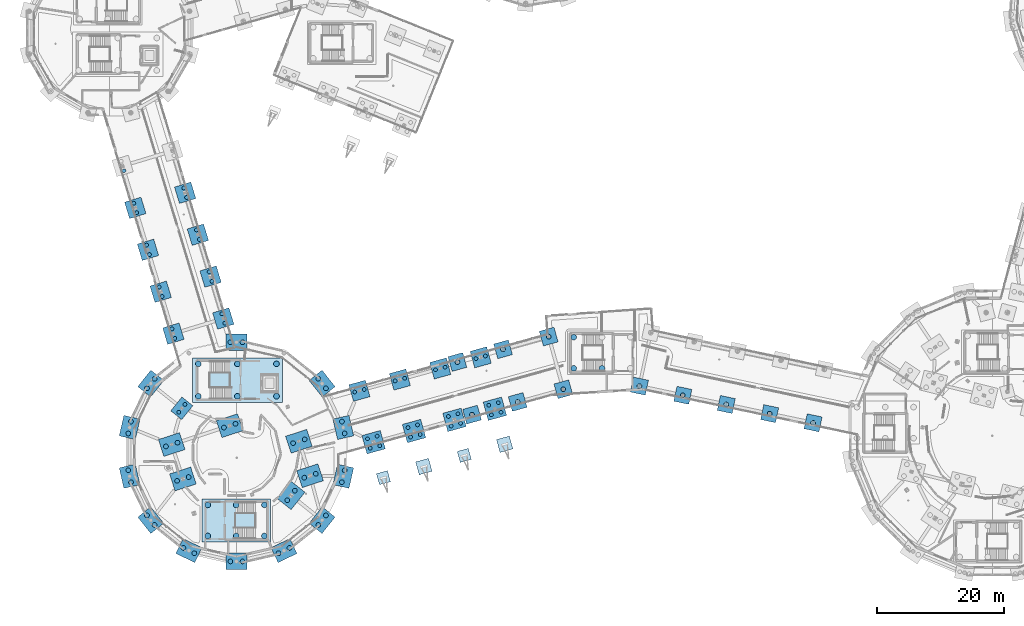
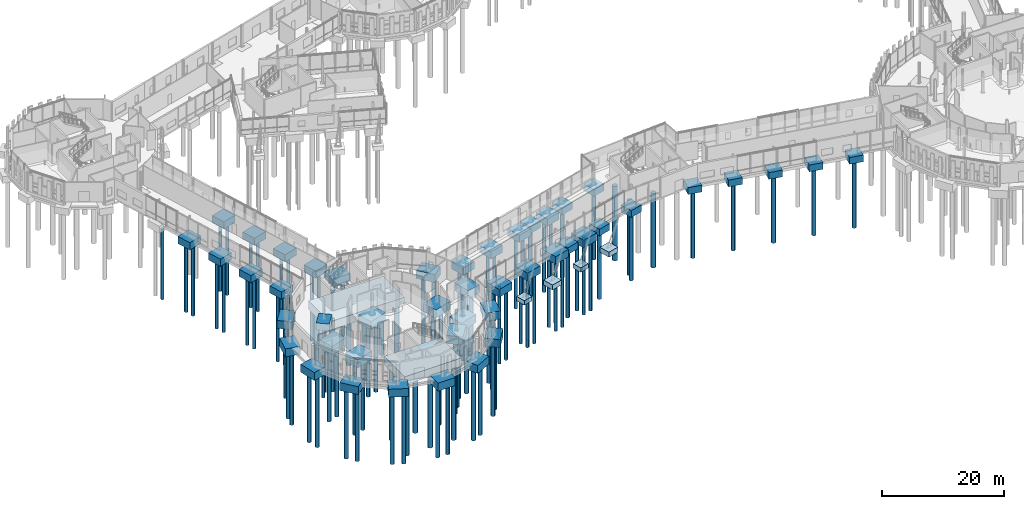
# One storey, part 1 of 113: 105 piles, 52 footings.
"""IFC4 building model written with IfcOpenShell, lengths in metres."""

import ifcopenshell
import ifcopenshell.guid

model = None  # the IFC model being written
_history = None  # IfcOwnerHistory: only IFC2X3 demands one
_inside = {}  # id of a spatial element -> (the spatial element, [elements in it])
_under = {}  # id of a project, library or spatial element -> (it, [spatial elements below it])
_declared = {}  # id of a project -> (the project, [libraries it declares])
_typed = {}  # id of a type object -> (the type object, [elements of that type])
_made_of = {}  # id of a material, layer set ... -> (it, [elements and type objects made of it])


def new_model(schema):
    """Start an empty IFC model of exactly this schema.

    Asked for "IFC4X3", IfcOpenShell would pick the latest addendum, in which some entities
    have other attributes; the version numbers below select the first issue.
    IFC2X3 requires an IfcOwnerHistory on every rooted entity: one is made here for all.
    """
    global model, _history
    if schema == "IFC4X3":
        model = ifcopenshell.file(schema_version=(4, 3, 0, 0))
    else:
        model = ifcopenshell.file(schema=schema)
    _inside.clear()
    _under.clear()
    _declared.clear()
    _typed.clear()
    _made_of.clear()
    _history = None
    if model.schema == "IFC2X3":
        org = make("IfcOrganization", Name="unknown")
        user = make(
            "IfcPersonAndOrganization",
            ThePerson=make("IfcPerson", FamilyName="unknown"),
            TheOrganization=org,
        )
        app = make(
            "IfcApplication",
            ApplicationDeveloper=org,
            Version="unknown",
            ApplicationFullName="unknown",
            ApplicationIdentifier="unknown",
        )
        _history = make(
            "IfcOwnerHistory",
            OwningUser=user,
            OwningApplication=app,
            ChangeAction="ADDED",
            CreationDate=0,
        )
    return model


def make(cls, **values):
    """One entity of the class cls with the attributes given. An attribute that is None is left unset."""
    return model.create_entity(
        cls, **{name: value for name, value in values.items() if value is not None}
    )


def rooted(cls, **values):
    """An entity with a GlobalId (a new one), such as an element, a storey or a relation."""
    return make(cls, GlobalId=ifcopenshell.guid.new(), OwnerHistory=_history, **values)


def si_unit(unit_type, name, prefix=None):
    """IfcSIUnit, for example si_unit("LENGTHUNIT", "METRE", prefix="MILLI")."""
    return make("IfcSIUnit", UnitType=unit_type, Prefix=prefix, Name=name)


def assignment(units):
    """IfcUnitAssignment: the units of a project."""
    return None if units is None else make("IfcUnitAssignment", Units=units)


def point(xyz):
    """IfcCartesianPoint."""
    return None if xyz is None else make("IfcCartesianPoint", Coordinates=xyz)


def direction(xyz):
    """IfcDirection."""
    return None if xyz is None else make("IfcDirection", DirectionRatios=xyz)


def frame(location, z_axis=None, x_axis=None):
    """IfcAxis2Placement3D, a coordinate frame: its origin and axes. An axis left out is left unset."""
    return make(
        "IfcAxis2Placement3D",
        Location=point(location),
        Axis=direction(z_axis),
        RefDirection=direction(x_axis),
    )


def frame_2d(location, x_axis=None):
    """IfcAxis2Placement2D, a coordinate frame in the plane: its origin and x axis."""
    return make(
        "IfcAxis2Placement2D", Location=point(location), RefDirection=direction(x_axis)
    )


def origin():
    """The frame at (0, 0, 0) with its axes left unset."""
    return frame((0.0, 0.0, 0.0))


def origin_2d():
    """The frame at (0, 0) in the plane with its x axis left unset."""
    return frame_2d((0.0, 0.0))


def place(relative_to, where):
    """IfcLocalPlacement: puts the frame where relative to a parent placement (None: the world)."""
    return make(
        "IfcLocalPlacement", PlacementRelTo=relative_to, RelativePlacement=where
    )


def context(
    kind, dimensions, precision=None, world=None, true_north=None, identifier=None
):
    """IfcGeometricRepresentationContext, for example the 3D "Model" context."""
    return make(
        "IfcGeometricRepresentationContext",
        ContextIdentifier=identifier,
        ContextType=kind,
        CoordinateSpaceDimension=dimensions,
        Precision=precision,
        WorldCoordinateSystem=world,
        TrueNorth=true_north,
    )


def subcontext(parent, identifier, kind, view, scale=None):
    """IfcGeometricRepresentationSubContext, for example "Body" below "Model"."""
    return make(
        "IfcGeometricRepresentationSubContext",
        ContextIdentifier=identifier,
        ContextType=kind,
        ParentContext=parent,
        TargetScale=scale,
        TargetView=view,
    )


def project(units=None, contexts=None):
    """IfcProject with its units and contexts."""
    return rooted(
        "IfcProject",
        Name="project",
        RepresentationContexts=contexts,
        UnitsInContext=assignment(units),
    )


def spatial(cls, under=None, at=None, **own):
    """A site, building, storey or space (cls), placed at a placement, below another one or the project."""
    s = rooted(cls, ObjectPlacement=at, **own)
    if under is not None:
        _under.setdefault(under.id(), (under, []))[1].append(s)
    return s


def profile(cls, at=None, kind="AREA", **sizes):
    """A parametric profile (cls). Its sizes go by their IFC names, for example OverallWidth=200.0."""
    return make(cls, ProfileType=kind, Position=at, **sizes)


def rectangle(**sizes):
    """IfcRectangleProfileDef."""
    return profile("IfcRectangleProfileDef", **sizes)


def circle(**sizes):
    """IfcCircleProfileDef."""
    return profile("IfcCircleProfileDef", **sizes)


def extrude(swept, where, along, depth):
    """IfcExtrudedAreaSolid: the profile swept, set in the frame where, extruded along a direction by depth."""
    return make(
        "IfcExtrudedAreaSolid",
        SweptArea=swept,
        Position=where,
        ExtrudedDirection=direction(along),
        Depth=depth,
    )


def shape(context_of_items, identifier, shape_type, items):
    """IfcShapeRepresentation: the items that make up one representation, for example the "Body"."""
    return make(
        "IfcShapeRepresentation",
        ContextOfItems=context_of_items,
        RepresentationIdentifier=identifier,
        RepresentationType=shape_type,
        Items=items,
    )


def material(Name=None, Category=None):
    """IfcMaterial."""
    return make("IfcMaterial", Name=Name, Category=Category)


def material_profile(
    of_material, cross_section, Name=None, Category=None, Priority=None
):
    """IfcMaterialProfile: a cross section and its material."""
    return make(
        "IfcMaterialProfile",
        Name=Name,
        Material=of_material,
        Profile=cross_section,
        Priority=Priority,
        Category=Category,
    )


def profile_set(profiles, Name=None, composite=None):
    """IfcMaterialProfileSet."""
    return make(
        "IfcMaterialProfileSet",
        Name=Name,
        MaterialProfiles=profiles,
        CompositeProfile=composite,
    )


def made_of(thing, what):
    """Note that an element or type object is made of a material, layer set ...; save() writes the relation."""
    if what is not None:
        _made_of.setdefault(what.id(), (what, []))[1].append(thing)
    return thing


def type_object(cls, material=None, **own):
    """A type object (cls), such as IfcWallType, which elements share."""
    return made_of(rooted(cls, **own), material)


def element(
    cls,
    number,
    at=None,
    inside=None,
    cuts=None,
    type_object=None,
    material=None,
    context=None,
    identifier="Body",
    shape_type=None,
    held_by="IfcProductDefinitionShape",
    body=None,
    shapes=None,
    **own,
):
    """One element of the class cls, such as IfcWall. Its Tag is "e" and its number.

    at: its placement. inside: the storey or other place that contains it. cuts: it is an
    opening in that element (IfcRelVoidsElement). A single representation is given by context,
    identifier, shape_type and body (its items); several are given by shapes. held_by: the class
    of the entity that holds the representations. save() writes the other relations.
    """
    e = rooted(cls, Tag="e%d" % number, ObjectPlacement=at, **own)
    if body is not None:
        shapes = [shape(context, identifier, shape_type, body)]
    if shapes is not None:
        e.Representation = make(held_by, Representations=shapes)
    if inside is not None:
        _inside.setdefault(inside.id(), (inside, []))[1].append(e)
    if cuts is not None:
        rooted(
            "IfcRelVoidsElement", RelatingBuildingElement=cuts, RelatedOpeningElement=e
        )
    if type_object is not None:
        _typed.setdefault(type_object.id(), (type_object, []))[1].append(e)
    return made_of(e, material)


def aggregate(whole, parts):
    """IfcRelAggregates: a whole, such as a stair, and the parts it consists of."""
    return rooted("IfcRelAggregates", RelatingObject=whole, RelatedObjects=parts)


def save(model, path):
    """Write the relations noted so far, then the file.

    IfcRelAggregates (storeys below a building ...), IfcRelContainedInSpatialStructure (elements
    in a storey), IfcRelDefinesByType, IfcRelAssociatesMaterial and IfcRelDeclares: one each for
    every whole, place, type object, material and project.
    """
    for whole, parts in _under.values():
        aggregate(whole, parts)
    for where, things in _inside.values():
        rooted(
            "IfcRelContainedInSpatialStructure",
            RelatedElements=things,
            RelatingStructure=where,
        )
    for kind, things in _typed.values():
        rooted("IfcRelDefinesByType", RelatedObjects=things, RelatingType=kind)
    for what, things in _made_of.values():
        rooted("IfcRelAssociatesMaterial", RelatedObjects=things, RelatingMaterial=what)
    for by, libraries in _declared.values():
        rooted("IfcRelDeclares", RelatingContext=by, RelatedDefinitions=libraries)
    model.write(path)


model = new_model("IFC4")

# Units and contexts
model_context = context("Model", 3, precision=1e-05, world=origin(), true_north=direction((0.0, 1.0)))
body_context = subcontext(model_context, "Body", "Model", "MODEL_VIEW")
ifc_project = project(units=[si_unit("LENGTHUNIT", "METRE"), si_unit("AREAUNIT", "SQUARE_METRE"), si_unit("VOLUMEUNIT", "CUBIC_METRE"), si_unit("PLANEANGLEUNIT", "RADIAN"), si_unit("MASSUNIT", "GRAM", prefix="KILO")], contexts=[model_context])

# Site, building, storey
site_placement = place(None, origin())
site = spatial("IfcSite", under=ifc_project, at=site_placement, CompositionType="ELEMENT")
building_placement = place(site_placement, origin())
building = spatial("IfcBuilding", under=site, at=building_placement, Name="Wrenclough Park School", CompositionType="ELEMENT")
storey_placement = place(building_placement, origin())
storey = spatial("IfcBuildingStorey", under=building, at=storey_placement, Name="L00", CompositionType="ELEMENT", Elevation=0.0)

# Footings
ifc_material_1 = material(Name="Concrete C35/45", Category="concrete")
footing_type_1 = type_object("IfcFootingType", Name="STR-PC-02", PredefinedType="PILE_CAP", material=ifc_material_1)
for number, where, z_axis, x_axis, name in (
    (1, (71.284912109375, 37.642578125, -1.35009765625), (0.0, 0.0, 1.0), (0.963396876837, 0.268079200424, 0.0), "Column pile cap FTG-DRM-145"),
    (2, (73.590087890625, 29.357421875, -1.35009765625), (0.0, 0.0, 1.0), (0.963396876837, 0.268079200424, 0.0), "Column pile cap FTG-DRM-146"),
    (3, (78.472412109375, 39.642578125, -1.35009765625), (0.0, 0.0, 1.0), (0.963396876837, 0.268079200424, 0.0), "Column pile cap FTG-DRM-147"),
    (4, (80.777587890625, 31.357421875, -1.35009765625), (0.0, 0.0, 1.0), (0.963396876837, 0.268079200424, 0.0), "Column pile cap FTG-DRM-148"),
    (5, (85.659912109375, 41.642578125, -1.35009765625), (0.0, 0.0, 1.0), (0.963396876837, 0.268079200424, 0.0), "Column pile cap FTG-DRM-149"),
    (6, (87.965087890625, 33.357421875, -1.35009765625), (0.0, 0.0, 1.0), (0.963396876837, 0.268079200424, 0.0), "Column pile cap FTG-DRM-150"),
    (7, (99.944091796875, 33.848388671875, -1.35009765625), (0.0, 0.0, 1.0), (0.978364788978, -0.206887263232, 0.0), "Column pile cap FTG-DRM-152"),
    (8, (106.77734375, 32.404052734375, -1.35009765625), (0.0, 0.0, 1.0), (0.978364788978, -0.206887263232, 0.0), "Column pile cap FTG-DRM-154"),
    (9, (113.610595703125, 30.959716796875, -1.35009765625), (0.0, 0.0, 1.0), (0.978364788978, -0.206887263232, 0.0), "Column pile cap FTG-DRM-156"),
    (10, (120.444091796875, 29.51513671875, -1.35009765625), (0.0, 0.0, 1.0), (0.978364788978, -0.206887263232, 0.0), "Column pile cap FTG-DRM-158"),
    (11, (127.27734375, 28.07080078125, -1.35009765625), (0.0, 0.0, 1.0), (0.978364788978, -0.206887263232, 0.0), "Column pile cap FTG-DRM-160"),
):
    element("IfcFooting", number, at=place(storey_placement, frame(where, z_axis=z_axis, x_axis=x_axis)), inside=storey, type_object=footing_type_1, Name=name, PredefinedType="PILE_CAP", context=body_context, shape_type="SweptSolid", body=[
        extrude(rectangle(XDim=2.39990234375, YDim=2.39990234375, at=origin_2d()), origin(), (0.0, 0.0, 1.0), 1.35009765625),
    ])
footing_type_2 = type_object("IfcFootingType", Name="STR-PC-03", PredefinedType="PILE_CAP", material=ifc_material_1)
for number, where, z_axis, x_axis, name in (
    (12, (55.8662109375, 33.1201171875, -1.4501953125), (0.0, 0.0, 1.0), (0.964002648928, 0.265892634084, 0.0), "Column pile cap FTG-DRM-029"),
    (13, (62.228515625, 34.875, -1.4501953125), (0.0, 0.0, 1.0), (0.964002648928, 0.265892634084, 0.0), "Column pile cap FTG-DRM-031"),
    (14, (68.591064453125, 36.6298828125, -1.4501953125), (0.0, 0.0, 1.0), (0.964002648928, 0.265892634084, 0.0), "Column pile cap FTG-DRM-033"),
    (15, (74.95361328125, 38.384765625, -1.4501953125), (0.0, 0.0, 1.0), (0.964002648928, 0.265892634084, 0.0), "Column pile cap FTG-DRM-035"),
    (16, (26.576171875, 42.111083984375, -1.4501953125), (0.0, 0.0, 1.0), (-0.290034140915, 0.957016299288, 0.0), "Column pile cap FTG-DRM-161"),
    (17, (34.423828125, 44.489013671875, -1.4501953125), (0.0, 0.0, 1.0), (-0.290034140915, 0.957016299288, 0.0), "Column pile cap FTG-DRM-162"),
    (18, (24.576171875, 48.7109375, -1.4501953125), (0.0, 0.0, 1.0), (-0.290034140915, 0.957016299288, 0.0), "Column pile cap FTG-DRM-163"),
    (19, (32.423828125, 51.089111328125, -1.4501953125), (0.0, 0.0, 1.0), (-0.290034140915, 0.957016299288, 0.0), "Column pile cap FTG-DRM-164"),
    (20, (22.576171875, 55.31103515625, -1.4501953125), (0.0, 0.0, 1.0), (-0.290034140915, 0.957016299288, 0.0), "Column pile cap FTG-DRM-165"),
    (21, (30.423828125, 57.68896484375, -1.4501953125), (0.0, 0.0, 1.0), (-0.290034140915, 0.957016299288, 0.0), "Column pile cap FTG-DRM-166"),
    (22, (20.576171875, 61.910888671875, -1.4501953125), (0.0, 0.0, 1.0), (-0.290034140915, 0.957016299288, 0.0), "Column pile cap FTG-DRM-167"),
    (23, (28.423828125, 64.2890625, -1.4501953125), (0.0, 0.0, 1.0), (-0.290034140915, 0.957016299288, 0.0), "Column pile cap FTG-DRM-168"),
):
    element("IfcFooting", number, at=place(storey_placement, frame(where, z_axis=z_axis, x_axis=x_axis)), inside=storey, type_object=footing_type_2, Name=name, PredefinedType="PILE_CAP", context=body_context, shape_type="SweptSolid", body=[
        extrude(rectangle(XDim=2.699951171875, YDim=2.699951171875, at=origin_2d()), origin(), (0.0, 0.0, 1.0), 1.449951171875),
    ])
footing_type_3 = type_object("IfcFootingType", Name="STR-PC-04", PredefinedType="PILE_CAP", material=ifc_material_1)
for number, where, z_axis, x_axis, name in (
    (24, (58.099609375, 25.0224609375, -1.5498046875), (0.0, 0.0, 1.0), (0.964002648928, 0.265892634084, 0.0), "Column pile cap FTG-DRM-028"),
    (25, (64.462158203125, 26.77734375, -1.5498046875), (0.0, 0.0, 1.0), (0.964002648928, 0.265892634084, 0.0), "Column pile cap FTG-DRM-030"),
    (26, (70.824462890625, 28.5322265625, -1.5498046875), (0.0, 0.0, 1.0), (0.964002648928, 0.265892634084, 0.0), "Column pile cap FTG-DRM-032"),
    (27, (77.18701171875, 30.287109375, -1.5498046875), (0.0, 0.0, 1.0), (0.964002648928, 0.265892634084, 0.0), "Column pile cap FTG-DRM-034"),
):
    element("IfcFooting", number, at=place(storey_placement, frame(where, z_axis=z_axis, x_axis=x_axis)), inside=storey, type_object=footing_type_3, Name=name, PredefinedType="PILE_CAP", context=body_context, shape_type="SweptSolid", body=[
        extrude(rectangle(XDim=3.0, YDim=3.0, at=origin_2d()), origin(), (0.0, 0.0, 1.0), 1.550048828125),
    ])
footing_type_4 = type_object("IfcFootingType", Name="STR-PC-06", PredefinedType="PILE_CAP", material=ifc_material_1)
for number, where, z_axis, x_axis, name in (
    (28, (28.06982421875, 19.2333984375, -1.64990234375), (0.0, 0.0, 1.0), (0.951056516295, 0.309016994375, 0.0), "Column pile cap FTG-DRM-012"),
    (29, (26.30859375, 24.654541015625, -1.64990234375), (0.0, 0.0, 1.0), (0.951056516295, 0.309016994375, 0.0), "Column pile cap FTG-DRM-013"),
    (30, (35.438720703125, 27.62109375, -1.64990234375), (0.0, 0.0, 1.0), (0.951056516295, 0.309016994375, 0.0), "Column pile cap FTG-DRM-015"),
    (31, (48.091552734375, 19.74560546875, -1.64990234375), (0.0, 0.0, 1.0), (0.951056516295, 0.309016994375, 0.0), "Column pile cap FTG-DRM-016"),
    (32, (46.330078125, 25.16650390625, -1.64990234375), (0.0, 0.0, 1.0), (0.951056516295, 0.309016994375, 0.0), "Column pile cap FTG-DRM-017"),
    (33, (45.10009765625, 16.6416015625, -1.64990234375), (0.0, 0.0, 1.0), (0.623470308046, 0.781847027868, 0.0), "Column pile cap FTG-DRM-084"),
):
    element("IfcFooting", number, at=place(storey_placement, frame(where, z_axis=z_axis, x_axis=x_axis)), inside=storey, type_object=footing_type_4, Name=name, PredefinedType="PILE_CAP", context=body_context, shape_type="SweptSolid", body=[
        extrude(rectangle(XDim=3.5, YDim=2.800048828125, at=origin_2d()), origin(), (0.0, 0.0, 1.0), 1.64990234375),
    ])
footing_type_5 = type_object("IfcFootingType", Name="STR-PC-09", PredefinedType="PILE_CAP", material=ifc_material_1)
footing_1_placement = place(storey_placement, frame((27.89990234375, 30.3583984375, -1.39990234375), z_axis=(0.0, 0.0, 1.0), x_axis=(-0.623470308046, -0.781847027868, 0.0)))
element("IfcFooting", 34, at=footing_1_placement, inside=storey, type_object=footing_type_5, Name="Column pile cap FTG-DRM-082", PredefinedType="PILE_CAP", context=body_context, shape_type="SweptSolid", body=[
    extrude(rectangle(XDim=2.800048828125, YDim=2.199951171875, at=origin_2d()), origin(), (0.0, 0.0, 1.0), 1.39990234375),
])
footing_type_6 = type_object("IfcFootingType", Name="STR-PC-10", PredefinedType="PILE_CAP", material=ifc_material_1)
for number, where, z_axis, x_axis, name in (
    (35, (53.3173828125, 27.33837890625, -1.60009765625), (0.0, 0.0, 1.0), (-0.222569549971, 0.974916814618, 0.0), "Column pile cap FTG-DRM-068"),
    (36, (49.986572265625, 34.255126953125, -1.60009765625), (0.0, 0.0, 1.0), (-0.623470308046, 0.781847027868, 0.0), "Column pile cap FTG-DRM-069"),
    (37, (36.5, 40.75, -1.60009765625), (0.0, 0.0, 1.0), (-1.0, 0.0, 0.0), "Column pile cap FTG-DRM-071"),
    (38, (23.013427734375, 34.255126953125, -1.60009765625), (0.0, 0.0, 1.0), (-0.623470308046, -0.781847027868, 0.0), "Column pile cap FTG-DRM-073"),
    (39, (19.6826171875, 27.33837890625, -1.60009765625), (0.0, 0.0, 1.0), (-0.222569549971, -0.974916814618, 0.0), "Column pile cap FTG-DRM-074"),
    (40, (19.6826171875, 19.66162109375, -1.60009765625), (0.0, 0.0, 1.0), (0.222569549971, -0.974916814618, 0.0), "Column pile cap FTG-DRM-075"),
    (41, (23.013427734375, 12.744873046875, -1.60009765625), (0.0, 0.0, 1.0), (0.623470308046, -0.781847027868, 0.0), "Column pile cap FTG-DRM-076"),
    (42, (29.015380859375, 7.958251953125, -1.60009765625), (0.0, 0.0, 1.0), (0.90100131981, -0.43381634559, 0.0), "Column pile cap FTG-DRM-077"),
    (43, (36.5, 6.25, -1.60009765625), (0.0, 0.0, 1.0), (1.0, 0.0, 0.0), "Column pile cap FTG-DRM-078"),
    (44, (43.984619140625, 7.958251953125, -1.60009765625), (0.0, 0.0, 1.0), (0.90100131981, 0.43381634559, 0.0), "Column pile cap FTG-DRM-079"),
    (45, (49.986572265625, 12.744873046875, -1.60009765625), (0.0, 0.0, 1.0), (0.623470308046, 0.781847027868, 0.0), "Column pile cap FTG-DRM-080"),
    (46, (53.3173828125, 19.66162109375, -1.60009765625), (0.0, 0.0, 1.0), (0.222569549971, 0.974916814618, 0.0), "Column pile cap FTG-DRM-081"),
):
    element("IfcFooting", number, at=place(storey_placement, frame(where, z_axis=z_axis, x_axis=x_axis)), inside=storey, type_object=footing_type_6, Name=name, PredefinedType="PILE_CAP", context=body_context, shape_type="SweptSolid", body=[
        extrude(rectangle(XDim=3.300048828125, YDim=2.60009765625, at=origin_2d()), origin(), (0.0, 0.0, 1.0), 1.60009765625),
    ])
ifc_material_2 = material(Name="Concrete C40/50", Category="concrete")
footing_type_7 = type_object("IfcFootingType", Name="STR-PC-CORE2", PredefinedType="PILE_CAP", material=ifc_material_2)
footing_2_placement = place(storey_placement, frame((36.64990234375, 34.800048828125, -3.5), z_axis=(0.0, 0.0, 1.0), x_axis=(1.0, 0.0, 0.0)))
element("IfcFooting", 47, at=footing_2_placement, inside=storey, type_object=footing_type_7, Name="Core C2 combined pile cap", PredefinedType="PILE_CAP", context=body_context, shape_type="SweptSolid", body=[
    extrude(rectangle(XDim=14.199951171875, YDim=7.0, at=origin_2d()), origin(), (0.0, 0.0, 1.0), 1.699951171875),
])
footing_type_8 = type_object("IfcFootingType", Name="STR-PC-CORE3", PredefinedType="PILE_CAP", material=ifc_material_2)
footing_3_placement = place(storey_placement, frame((36.449951171875, 12.699951171875, -1.64990234375), z_axis=(0.0, 0.0, 1.0), x_axis=(1.0, 0.0, 0.0)))
element("IfcFooting", 48, at=footing_3_placement, inside=storey, type_object=footing_type_8, Name="Core C2B combined pile cap", PredefinedType="PILE_CAP", context=body_context, shape_type="SweptSolid", body=[
    extrude(rectangle(XDim=10.800048828125, YDim=6.800048828125, at=origin_2d()), origin(), (0.0, 0.0, 1.0), 1.64990234375),
])
footing_type_9 = type_object("IfcFootingType", Name="STR-PF-01", PredefinedType="PAD_FOOTING", material=ifc_material_1)
for number, where, z_axis, x_axis, name in (
    (49, (59.641845703125, 19.431396484375, -0.89990234375), (0.0, 0.0, 1.0), (0.964002648928, 0.265892634084, 0.0), "EAVE-ENTRANCE raking strut pad footing 1"),
    (50, (72.36669921875, 22.94091796875, -0.89990234375), (0.0, 0.0, 1.0), (0.964002648928, 0.265892634084, 0.0), "EAVE-ENTRANCE raking strut pad footing 3"),
):
    element("IfcFooting", number, at=place(storey_placement, frame(where, z_axis=z_axis, x_axis=x_axis)), inside=storey, type_object=footing_type_9, Name=name, PredefinedType="PAD_FOOTING", context=body_context, shape_type="SweptSolid", body=[
        extrude(rectangle(XDim=1.800048828125, YDim=1.800048828125, at=origin_2d()), origin(), (0.0, 0.0, 1.0), 0.89990234375),
    ])
footing_type_10 = type_object("IfcFootingType", Name="STR-PF-02", PredefinedType="PAD_FOOTING", material=ifc_material_1)
for number, where, z_axis, x_axis, name in (
    (51, (66.00439453125, 21.18603515625, -1.0), (0.0, 0.0, 1.0), (0.964002648928, 0.265892634084, 0.0), "EAVE-ENTRANCE raking strut pad footing 2"),
    (52, (78.729248046875, 24.69580078125, -1.0), (0.0, 0.0, 1.0), (0.964002648928, 0.265892634084, 0.0), "EAVE-ENTRANCE raking strut pad footing 4"),
):
    element("IfcFooting", number, at=place(storey_placement, frame(where, z_axis=z_axis, x_axis=x_axis)), inside=storey, type_object=footing_type_10, Name=name, PredefinedType="PAD_FOOTING", context=body_context, shape_type="SweptSolid", body=[
        extrude(rectangle(XDim=2.10009765625, YDim=2.10009765625, at=origin_2d()), origin(), (0.0, 0.0, 1.0), 1.0),
    ])

# Piles
ifc_material_profile_1 = material_profile(ifc_material_1, circle(Radius=0.300048828125, at=origin_2d()), Name="BORED PILE D600")
ifc_profile_set_1 = profile_set([ifc_material_profile_1], Name="Concrete C35/45")
pile_type_1 = type_object("IfcPileType", Name="STR-PILE-600", PredefinedType="BORED", material=ifc_profile_set_1)
for number, where, z_axis, x_axis, name in (
    (53, (57.55517578125, 24.063232421875, -1.449951171875), (0.0, 0.0, -1.0), (1.0, 0.0, 0.0), "Rotary bored pile FTG-DRM-028-1"),
    (54, (59.05908203125, 24.47802734375, -1.449951171875), (0.0, 0.0, -1.0), (1.0, 0.0, 0.0), "Rotary bored pile FTG-DRM-028-2"),
    (55, (57.140380859375, 25.56689453125, -1.449951171875), (0.0, 0.0, -1.0), (1.0, 0.0, 0.0), "Rotary bored pile FTG-DRM-028-3"),
    (56, (58.644287109375, 25.981689453125, -1.449951171875), (0.0, 0.0, -1.0), (1.0, 0.0, 0.0), "Rotary bored pile FTG-DRM-028-4"),
):
    element("IfcPile", number, at=place(storey_placement, frame(where, z_axis=z_axis, x_axis=x_axis)), inside=storey, type_object=pile_type_1, Name=name, PredefinedType="BORED", context=body_context, shape_type="SweptSolid", body=[
        extrude(circle(Radius=0.300048828125, at=origin_2d()), origin(), (0.0, 0.0, 1.0), 14.050048828125),
    ])
for number, where, z_axis, x_axis, name in (
    (57, (55.1142578125, 32.91259765625, -1.35009765625), (0.0, 0.0, -1.0), (1.0, 0.0, 0.0), "Rotary bored pile FTG-DRM-029-1"),
    (58, (56.6181640625, 33.327392578125, -1.35009765625), (0.0, 0.0, -1.0), (1.0, 0.0, 0.0), "Rotary bored pile FTG-DRM-029-2"),
):
    element("IfcPile", number, at=place(storey_placement, frame(where, z_axis=z_axis, x_axis=x_axis)), inside=storey, type_object=pile_type_1, Name=name, PredefinedType="BORED", context=body_context, shape_type="SweptSolid", body=[
        extrude(circle(Radius=0.300048828125, at=origin_2d()), origin(), (0.0, 0.0, 1.0), 14.14990234375),
    ])
for number, where, z_axis, x_axis, name in (
    (59, (63.91748046875, 25.818115234375, -1.449951171875), (0.0, 0.0, -1.0), (1.0, 0.0, 0.0), "Rotary bored pile FTG-DRM-030-1"),
    (60, (65.42138671875, 26.23291015625, -1.449951171875), (0.0, 0.0, -1.0), (1.0, 0.0, 0.0), "Rotary bored pile FTG-DRM-030-2"),
    (61, (63.502685546875, 27.32177734375, -1.449951171875), (0.0, 0.0, -1.0), (1.0, 0.0, 0.0), "Rotary bored pile FTG-DRM-030-3"),
    (62, (65.006591796875, 27.736572265625, -1.449951171875), (0.0, 0.0, -1.0), (1.0, 0.0, 0.0), "Rotary bored pile FTG-DRM-030-4"),
):
    element("IfcPile", number, at=place(storey_placement, frame(where, z_axis=z_axis, x_axis=x_axis)), inside=storey, type_object=pile_type_1, Name=name, PredefinedType="BORED", context=body_context, shape_type="SweptSolid", body=[
        extrude(circle(Radius=0.300048828125, at=origin_2d()), origin(), (0.0, 0.0, 1.0), 14.050048828125),
    ])
for number, where, z_axis, x_axis, name in (
    (63, (61.476806640625, 34.66748046875, -1.35009765625), (0.0, 0.0, -1.0), (1.0, 0.0, 0.0), "Rotary bored pile FTG-DRM-031-1"),
    (64, (62.98046875, 35.08251953125, -1.35009765625), (0.0, 0.0, -1.0), (1.0, 0.0, 0.0), "Rotary bored pile FTG-DRM-031-2"),
):
    element("IfcPile", number, at=place(storey_placement, frame(where, z_axis=z_axis, x_axis=x_axis)), inside=storey, type_object=pile_type_1, Name=name, PredefinedType="BORED", context=body_context, shape_type="SweptSolid", body=[
        extrude(circle(Radius=0.300048828125, at=origin_2d()), origin(), (0.0, 0.0, 1.0), 14.14990234375),
    ])
for number, where, z_axis, x_axis, name in (
    (65, (70.280029296875, 27.572998046875, -1.449951171875), (0.0, 0.0, -1.0), (1.0, 0.0, 0.0), "Rotary bored pile FTG-DRM-032-1"),
    (66, (71.78369140625, 27.98779296875, -1.449951171875), (0.0, 0.0, -1.0), (1.0, 0.0, 0.0), "Rotary bored pile FTG-DRM-032-2"),
    (67, (69.865234375, 29.07666015625, -1.449951171875), (0.0, 0.0, -1.0), (1.0, 0.0, 0.0), "Rotary bored pile FTG-DRM-032-3"),
    (68, (71.368896484375, 29.491455078125, -1.449951171875), (0.0, 0.0, -1.0), (1.0, 0.0, 0.0), "Rotary bored pile FTG-DRM-032-4"),
):
    element("IfcPile", number, at=place(storey_placement, frame(where, z_axis=z_axis, x_axis=x_axis)), inside=storey, type_object=pile_type_1, Name=name, PredefinedType="BORED", context=body_context, shape_type="SweptSolid", body=[
        extrude(circle(Radius=0.300048828125, at=origin_2d()), origin(), (0.0, 0.0, 1.0), 14.050048828125),
    ])
for number, where, z_axis, x_axis, name in (
    (69, (67.839111328125, 36.422607421875, -1.35009765625), (0.0, 0.0, -1.0), (1.0, 0.0, 0.0), "Rotary bored pile FTG-DRM-033-1"),
    (70, (69.343017578125, 36.83740234375, -1.35009765625), (0.0, 0.0, -1.0), (1.0, 0.0, 0.0), "Rotary bored pile FTG-DRM-033-2"),
):
    element("IfcPile", number, at=place(storey_placement, frame(where, z_axis=z_axis, x_axis=x_axis)), inside=storey, type_object=pile_type_1, Name=name, PredefinedType="BORED", context=body_context, shape_type="SweptSolid", body=[
        extrude(circle(Radius=0.300048828125, at=origin_2d()), origin(), (0.0, 0.0, 1.0), 14.14990234375),
    ])
for number, where, z_axis, x_axis, name in (
    (71, (76.642578125, 29.327880859375, -1.449951171875), (0.0, 0.0, -1.0), (1.0, 0.0, 0.0), "Rotary bored pile FTG-DRM-034-1"),
    (72, (78.146240234375, 29.74267578125, -1.449951171875), (0.0, 0.0, -1.0), (1.0, 0.0, 0.0), "Rotary bored pile FTG-DRM-034-2"),
    (73, (76.227783203125, 30.83154296875, -1.449951171875), (0.0, 0.0, -1.0), (1.0, 0.0, 0.0), "Rotary bored pile FTG-DRM-034-3"),
    (74, (77.7314453125, 31.246337890625, -1.449951171875), (0.0, 0.0, -1.0), (1.0, 0.0, 0.0), "Rotary bored pile FTG-DRM-034-4"),
):
    element("IfcPile", number, at=place(storey_placement, frame(where, z_axis=z_axis, x_axis=x_axis)), inside=storey, type_object=pile_type_1, Name=name, PredefinedType="BORED", context=body_context, shape_type="SweptSolid", body=[
        extrude(circle(Radius=0.300048828125, at=origin_2d()), origin(), (0.0, 0.0, 1.0), 14.050048828125),
    ])
for number, where, z_axis, x_axis, name in (
    (75, (74.20166015625, 38.17724609375, -1.35009765625), (0.0, 0.0, -1.0), (1.0, 0.0, 0.0), "Rotary bored pile FTG-DRM-035-1"),
    (76, (75.705322265625, 38.592041015625, -1.35009765625), (0.0, 0.0, -1.0), (1.0, 0.0, 0.0), "Rotary bored pile FTG-DRM-035-2"),
):
    element("IfcPile", number, at=place(storey_placement, frame(where, z_axis=z_axis, x_axis=x_axis)), inside=storey, type_object=pile_type_1, Name=name, PredefinedType="BORED", context=body_context, shape_type="SweptSolid", body=[
        extrude(circle(Radius=0.300048828125, at=origin_2d()), origin(), (0.0, 0.0, 1.0), 14.14990234375),
    ])
for number, where, z_axis, x_axis, name in (
    (77, (28.38623046875, 30.96826171875, -1.300048828125), (0.0, 0.0, -1.0), (1.0, 0.0, 0.0), "Rotary bored pile FTG-DRM-082-1"),
    (78, (27.41357421875, 29.74853515625, -1.300048828125), (0.0, 0.0, -1.0), (1.0, 0.0, 0.0), "Rotary bored pile FTG-DRM-082-2"),
):
    element("IfcPile", number, at=place(storey_placement, frame(where, z_axis=z_axis, x_axis=x_axis)), inside=storey, type_object=pile_type_1, Name=name, PredefinedType="BORED", context=body_context, shape_type="SweptSolid", body=[
        extrude(circle(Radius=0.300048828125, at=origin_2d()), origin(), (0.0, 0.0, 1.0), 13.89990234375),
    ])
for number, where, z_axis, x_axis, name in (
    (79, (26.802490234375, 41.364501953125, -1.35009765625), (0.0, 0.0, -1.0), (1.0, 0.0, 0.0), "Rotary bored pile FTG-DRM-161-1"),
    (80, (26.35009765625, 42.857421875, -1.35009765625), (0.0, 0.0, -1.0), (1.0, 0.0, 0.0), "Rotary bored pile FTG-DRM-161-2"),
    (81, (34.64990234375, 43.742431640625, -1.35009765625), (0.0, 0.0, -1.0), (1.0, 0.0, 0.0), "Rotary bored pile FTG-DRM-162-1"),
    (82, (34.197509765625, 45.235595703125, -1.35009765625), (0.0, 0.0, -1.0), (1.0, 0.0, 0.0), "Rotary bored pile FTG-DRM-162-2"),
    (83, (24.802490234375, 47.964599609375, -1.35009765625), (0.0, 0.0, -1.0), (1.0, 0.0, 0.0), "Rotary bored pile FTG-DRM-163-1"),
    (84, (24.35009765625, 49.45751953125, -1.35009765625), (0.0, 0.0, -1.0), (1.0, 0.0, 0.0), "Rotary bored pile FTG-DRM-163-2"),
    (85, (32.64990234375, 50.342529296875, -1.35009765625), (0.0, 0.0, -1.0), (1.0, 0.0, 0.0), "Rotary bored pile FTG-DRM-164-1"),
    (86, (32.197509765625, 51.83544921875, -1.35009765625), (0.0, 0.0, -1.0), (1.0, 0.0, 0.0), "Rotary bored pile FTG-DRM-164-2"),
    (87, (22.802490234375, 54.564453125, -1.35009765625), (0.0, 0.0, -1.0), (1.0, 0.0, 0.0), "Rotary bored pile FTG-DRM-165-1"),
    (88, (22.35009765625, 56.0576171875, -1.35009765625), (0.0, 0.0, -1.0), (1.0, 0.0, 0.0), "Rotary bored pile FTG-DRM-165-2"),
    (89, (30.64990234375, 56.9423828125, -1.35009765625), (0.0, 0.0, -1.0), (1.0, 0.0, 0.0), "Rotary bored pile FTG-DRM-166-1"),
    (90, (30.197509765625, 58.435546875, -1.35009765625), (0.0, 0.0, -1.0), (1.0, 0.0, 0.0), "Rotary bored pile FTG-DRM-166-2"),
    (91, (20.802490234375, 61.16455078125, -1.35009765625), (0.0, 0.0, -1.0), (1.0, 0.0, 0.0), "Rotary bored pile FTG-DRM-167-1"),
    (92, (20.35009765625, 62.657470703125, -1.35009765625), (0.0, 0.0, -1.0), (1.0, 0.0, 0.0), "Rotary bored pile FTG-DRM-167-2"),
    (93, (28.64990234375, 63.54248046875, -1.35009765625), (0.0, 0.0, -1.0), (1.0, 0.0, 0.0), "Rotary bored pile FTG-DRM-168-1"),
    (94, (28.197509765625, 65.035400390625, -1.35009765625), (0.0, 0.0, -1.0), (1.0, 0.0, 0.0), "Rotary bored pile FTG-DRM-168-2"),
    (95, (18.802490234375, 67.764404296875, -1.35009765625), (0.0, 0.0, -1.0), (1.0, 0.0, 0.0), "Rotary bored pile FTG-DRM-169-1"),
):
    element("IfcPile", number, at=place(storey_placement, frame(where, z_axis=z_axis, x_axis=x_axis)), inside=storey, type_object=pile_type_1, Name=name, PredefinedType="BORED", context=body_context, shape_type="SweptSolid", body=[
        extrude(circle(Radius=0.300048828125, at=origin_2d()), origin(), (0.0, 0.0, 1.0), 14.14990234375),
    ])
ifc_material_profile_2 = material_profile(ifc_material_1, circle(Radius=0.375, at=origin_2d()), Name="BORED PILE D750")
ifc_profile_set_2 = profile_set([ifc_material_profile_2], Name="Concrete C35/45")
pile_type_2 = type_object("IfcPileType", Name="STR-PILE-750", PredefinedType="BORED", material=ifc_profile_set_2)
for number, where, z_axis, x_axis, name in (
    (96, (27.156982421875, 18.936767578125, -1.550048828125), (0.0, 0.0, -1.0), (1.0, 0.0, 0.0), "Rotary bored pile FTG-DRM-012-1"),
    (97, (28.98291015625, 19.530029296875, -1.550048828125), (0.0, 0.0, -1.0), (1.0, 0.0, 0.0), "Rotary bored pile FTG-DRM-012-2"),
    (98, (25.3955078125, 24.35791015625, -1.550048828125), (0.0, 0.0, -1.0), (1.0, 0.0, 0.0), "Rotary bored pile FTG-DRM-013-1"),
    (99, (27.221435546875, 24.951171875, -1.550048828125), (0.0, 0.0, -1.0), (1.0, 0.0, 0.0), "Rotary bored pile FTG-DRM-013-2"),
    (100, (34.525634765625, 27.32421875, -1.550048828125), (0.0, 0.0, -1.0), (1.0, 0.0, 0.0), "Rotary bored pile FTG-DRM-015-1"),
    (101, (36.3515625, 27.917724609375, -1.550048828125), (0.0, 0.0, -1.0), (1.0, 0.0, 0.0), "Rotary bored pile FTG-DRM-015-2"),
    (102, (47.178466796875, 19.44873046875, -1.550048828125), (0.0, 0.0, -1.0), (1.0, 0.0, 0.0), "Rotary bored pile FTG-DRM-016-1"),
    (103, (49.00439453125, 20.042236328125, -1.550048828125), (0.0, 0.0, -1.0), (1.0, 0.0, 0.0), "Rotary bored pile FTG-DRM-016-2"),
    (104, (45.4169921875, 24.869873046875, -1.550048828125), (0.0, 0.0, -1.0), (1.0, 0.0, 0.0), "Rotary bored pile FTG-DRM-017-1"),
    (105, (47.2431640625, 25.46337890625, -1.550048828125), (0.0, 0.0, -1.0), (1.0, 0.0, 0.0), "Rotary bored pile FTG-DRM-017-2"),
):
    element("IfcPile", number, at=place(storey_placement, frame(where, z_axis=z_axis, x_axis=x_axis)), inside=storey, type_object=pile_type_2, Name=name, PredefinedType="BORED", context=body_context, shape_type="SweptSolid", body=[
        extrude(circle(Radius=0.375, at=origin_2d()), origin(), (0.0, 0.0, 1.0), 14.449951171875),
    ])
for number, where, z_axis, x_axis, name in (
    (106, (53.53125, 26.402587890625, -1.5), (0.0, 0.0, -1.0), (1.0, 0.0, 0.0), "Rotary bored pile FTG-DRM-068-1"),
    (107, (53.103759765625, 28.2744140625, -1.5), (0.0, 0.0, -1.0), (1.0, 0.0, 0.0), "Rotary bored pile FTG-DRM-068-2"),
    (108, (50.585205078125, 33.504638671875, -1.5), (0.0, 0.0, -1.0), (1.0, 0.0, 0.0), "Rotary bored pile FTG-DRM-069-1"),
    (109, (49.38818359375, 35.005859375, -1.5), (0.0, 0.0, -1.0), (1.0, 0.0, 0.0), "Rotary bored pile FTG-DRM-069-2"),
    (110, (37.4599609375, 40.75, -1.5), (0.0, 0.0, -1.0), (1.0, 0.0, 0.0), "Rotary bored pile FTG-DRM-071-1"),
    (111, (35.5400390625, 40.75, -1.5), (0.0, 0.0, -1.0), (1.0, 0.0, 0.0), "Rotary bored pile FTG-DRM-071-2"),
    (112, (23.61181640625, 35.005859375, -1.5), (0.0, 0.0, -1.0), (1.0, 0.0, 0.0), "Rotary bored pile FTG-DRM-073-1"),
    (113, (22.414794921875, 33.504638671875, -1.5), (0.0, 0.0, -1.0), (1.0, 0.0, 0.0), "Rotary bored pile FTG-DRM-073-2"),
    (114, (19.896240234375, 28.2744140625, -1.5), (0.0, 0.0, -1.0), (1.0, 0.0, 0.0), "Rotary bored pile FTG-DRM-074-1"),
    (115, (19.46875, 26.402587890625, -1.5), (0.0, 0.0, -1.0), (1.0, 0.0, 0.0), "Rotary bored pile FTG-DRM-074-2"),
    (116, (19.46875, 20.597412109375, -1.5), (0.0, 0.0, -1.0), (1.0, 0.0, 0.0), "Rotary bored pile FTG-DRM-075-1"),
    (117, (19.896240234375, 18.7255859375, -1.5), (0.0, 0.0, -1.0), (1.0, 0.0, 0.0), "Rotary bored pile FTG-DRM-075-2"),
    (118, (22.414794921875, 13.495361328125, -1.5), (0.0, 0.0, -1.0), (1.0, 0.0, 0.0), "Rotary bored pile FTG-DRM-076-1"),
    (119, (23.61181640625, 11.994140625, -1.5), (0.0, 0.0, -1.0), (1.0, 0.0, 0.0), "Rotary bored pile FTG-DRM-076-2"),
    (120, (28.150390625, 8.374755859375, -1.5), (0.0, 0.0, -1.0), (1.0, 0.0, 0.0), "Rotary bored pile FTG-DRM-077-1"),
    (121, (29.880615234375, 7.541748046875, -1.5), (0.0, 0.0, -1.0), (1.0, 0.0, 0.0), "Rotary bored pile FTG-DRM-077-2"),
    (122, (35.5400390625, 6.25, -1.5), (0.0, 0.0, -1.0), (1.0, 0.0, 0.0), "Rotary bored pile FTG-DRM-078-1"),
    (123, (37.4599609375, 6.25, -1.5), (0.0, 0.0, -1.0), (1.0, 0.0, 0.0), "Rotary bored pile FTG-DRM-078-2"),
    (124, (43.119384765625, 7.541748046875, -1.5), (0.0, 0.0, -1.0), (1.0, 0.0, 0.0), "Rotary bored pile FTG-DRM-079-1"),
    (125, (44.849609375, 8.374755859375, -1.5), (0.0, 0.0, -1.0), (1.0, 0.0, 0.0), "Rotary bored pile FTG-DRM-079-2"),
    (126, (49.38818359375, 11.994140625, -1.5), (0.0, 0.0, -1.0), (1.0, 0.0, 0.0), "Rotary bored pile FTG-DRM-080-1"),
    (127, (50.585205078125, 13.495361328125, -1.5), (0.0, 0.0, -1.0), (1.0, 0.0, 0.0), "Rotary bored pile FTG-DRM-080-2"),
    (128, (53.103759765625, 18.7255859375, -1.5), (0.0, 0.0, -1.0), (1.0, 0.0, 0.0), "Rotary bored pile FTG-DRM-081-1"),
    (129, (53.53125, 20.597412109375, -1.5), (0.0, 0.0, -1.0), (1.0, 0.0, 0.0), "Rotary bored pile FTG-DRM-081-2"),
):
    element("IfcPile", number, at=place(storey_placement, frame(where, z_axis=z_axis, x_axis=x_axis)), inside=storey, type_object=pile_type_2, Name=name, PredefinedType="BORED", context=body_context, shape_type="SweptSolid", body=[
        extrude(circle(Radius=0.375, at=origin_2d()), origin(), (0.0, 0.0, 1.0), 14.300048828125),
    ])
for number, where, z_axis, x_axis, name in (
    (130, (44.501708984375, 15.89111328125, -1.550048828125), (0.0, 0.0, -1.0), (1.0, 0.0, 0.0), "Rotary bored pile FTG-DRM-084-1"),
    (131, (45.698486328125, 17.39208984375, -1.550048828125), (0.0, 0.0, -1.0), (1.0, 0.0, 0.0), "Rotary bored pile FTG-DRM-084-2"),
):
    element("IfcPile", number, at=place(storey_placement, frame(where, z_axis=z_axis, x_axis=x_axis)), inside=storey, type_object=pile_type_2, Name=name, PredefinedType="BORED", context=body_context, shape_type="SweptSolid", body=[
        extrude(circle(Radius=0.375, at=origin_2d()), origin(), (0.0, 0.0, 1.0), 14.449951171875),
    ])
for number, where, z_axis, x_axis, name in (
    (132, (71.284912109375, 37.642578125, -1.25), (0.0, 0.0, -1.0), (1.0, 0.0, 0.0), "Rotary bored pile FTG-DRM-145-1"),
    (133, (73.590087890625, 29.357421875, -1.25), (0.0, 0.0, -1.0), (1.0, 0.0, 0.0), "Rotary bored pile FTG-DRM-146-1"),
    (134, (78.472412109375, 39.642578125, -1.25), (0.0, 0.0, -1.0), (1.0, 0.0, 0.0), "Rotary bored pile FTG-DRM-147-1"),
    (135, (80.777587890625, 31.357421875, -1.25), (0.0, 0.0, -1.0), (1.0, 0.0, 0.0), "Rotary bored pile FTG-DRM-148-1"),
    (136, (85.659912109375, 41.642578125, -1.25), (0.0, 0.0, -1.0), (1.0, 0.0, 0.0), "Rotary bored pile FTG-DRM-149-1"),
    (137, (87.965087890625, 33.357421875, -1.25), (0.0, 0.0, -1.0), (1.0, 0.0, 0.0), "Rotary bored pile FTG-DRM-150-1"),
    (138, (99.944091796875, 33.848388671875, -1.25), (0.0, 0.0, -1.0), (1.0, 0.0, 0.0), "Rotary bored pile FTG-DRM-152-1"),
    (139, (106.77734375, 32.404052734375, -1.25), (0.0, 0.0, -1.0), (1.0, 0.0, 0.0), "Rotary bored pile FTG-DRM-154-1"),
    (140, (113.610595703125, 30.959716796875, -1.25), (0.0, 0.0, -1.0), (1.0, 0.0, 0.0), "Rotary bored pile FTG-DRM-156-1"),
    (141, (120.444091796875, 29.51513671875, -1.25), (0.0, 0.0, -1.0), (1.0, 0.0, 0.0), "Rotary bored pile FTG-DRM-158-1"),
    (142, (127.27734375, 28.07080078125, -1.25), (0.0, 0.0, -1.0), (1.0, 0.0, 0.0), "Rotary bored pile FTG-DRM-160-1"),
):
    element("IfcPile", number, at=place(storey_placement, frame(where, z_axis=z_axis, x_axis=x_axis)), inside=storey, type_object=pile_type_2, Name=name, PredefinedType="BORED", context=body_context, shape_type="SweptSolid", body=[
        extrude(circle(Radius=0.375, at=origin_2d()), origin(), (0.0, 0.0, 1.0), 13.75),
    ])
ifc_material_profile_3 = material_profile(ifc_material_1, circle(Radius=0.449951171875, at=origin_2d()), Name="BORED PILE D900")
ifc_profile_set_3 = profile_set([ifc_material_profile_3], Name="Concrete C35/45")
pile_type_3 = type_object("IfcPileType", Name="STR-PILE-900", PredefinedType="BORED", material=ifc_profile_set_3)
for number, where, z_axis, x_axis, name in (
    (143, (30.5, 32.25, -3.39990234375), (0.0, 0.0, -1.0), (1.0, 0.0, 0.0), "Core C2 rotary bored pile 1"),
    (144, (30.5, 37.35009765625, -3.39990234375), (0.0, 0.0, -1.0), (1.0, 0.0, 0.0), "Core C2 rotary bored pile 2"),
    (145, (36.64990234375, 32.25, -3.39990234375), (0.0, 0.0, -1.0), (1.0, 0.0, 0.0), "Core C2 rotary bored pile 3"),
    (146, (36.64990234375, 37.35009765625, -3.39990234375), (0.0, 0.0, -1.0), (1.0, 0.0, 0.0), "Core C2 rotary bored pile 4"),
    (147, (42.800048828125, 32.25, -3.39990234375), (0.0, 0.0, -1.0), (1.0, 0.0, 0.0), "Core C2 rotary bored pile 5"),
    (148, (42.800048828125, 37.35009765625, -3.39990234375), (0.0, 0.0, -1.0), (1.0, 0.0, 0.0), "Core C2 rotary bored pile 6"),
):
    element("IfcPile", number, at=place(storey_placement, frame(where, z_axis=z_axis, x_axis=x_axis)), inside=storey, type_object=pile_type_3, Name=name, PredefinedType="BORED", context=body_context, shape_type="SweptSolid", body=[
        extrude(circle(Radius=0.449951171875, at=origin_2d()), origin(), (0.0, 0.0, 1.0), 13.10009765625),
    ])
for number, where, z_axis, x_axis, name in (
    (149, (32.0, 10.25, -1.550048828125), (0.0, 0.0, -1.0), (1.0, 0.0, 0.0), "Core C2B rotary bored pile 1"),
    (150, (32.0, 15.14990234375, -1.550048828125), (0.0, 0.0, -1.0), (1.0, 0.0, 0.0), "Core C2B rotary bored pile 2"),
    (151, (36.449951171875, 10.25, -1.550048828125), (0.0, 0.0, -1.0), (1.0, 0.0, 0.0), "Core C2B rotary bored pile 3"),
    (152, (36.449951171875, 15.14990234375, -1.550048828125), (0.0, 0.0, -1.0), (1.0, 0.0, 0.0), "Core C2B rotary bored pile 4"),
    (153, (40.89990234375, 10.25, -1.550048828125), (0.0, 0.0, -1.0), (1.0, 0.0, 0.0), "Core C2B rotary bored pile 5"),
    (154, (40.89990234375, 15.14990234375, -1.550048828125), (0.0, 0.0, -1.0), (1.0, 0.0, 0.0), "Core C2B rotary bored pile 6"),
    (155, (89.60009765625, 36.64990234375, -1.550048828125), (0.0, 0.0, -1.0), (1.0, 0.0, 0.0), "Core C7 rotary bored pile 1"),
    (156, (89.60009765625, 41.550048828125, -1.550048828125), (0.0, 0.0, -1.0), (1.0, 0.0, 0.0), "Core C7 rotary bored pile 2"),
    (157, (94.050048828125, 36.64990234375, -1.550048828125), (0.0, 0.0, -1.0), (1.0, 0.0, 0.0), "Core C7 rotary bored pile 3"),
):
    element("IfcPile", number, at=place(storey_placement, frame(where, z_axis=z_axis, x_axis=x_axis)), inside=storey, type_object=pile_type_3, Name=name, PredefinedType="BORED", context=body_context, shape_type="SweptSolid", body=[
        extrude(circle(Radius=0.449951171875, at=origin_2d()), origin(), (0.0, 0.0, 1.0), 14.949951171875),
    ])

save(model, "model.ifc")
